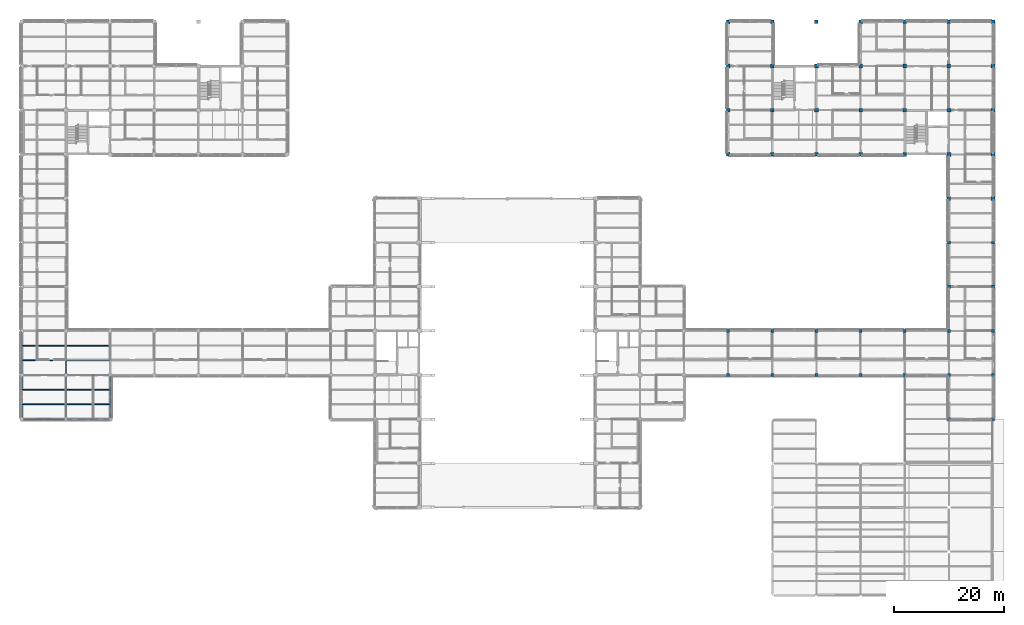
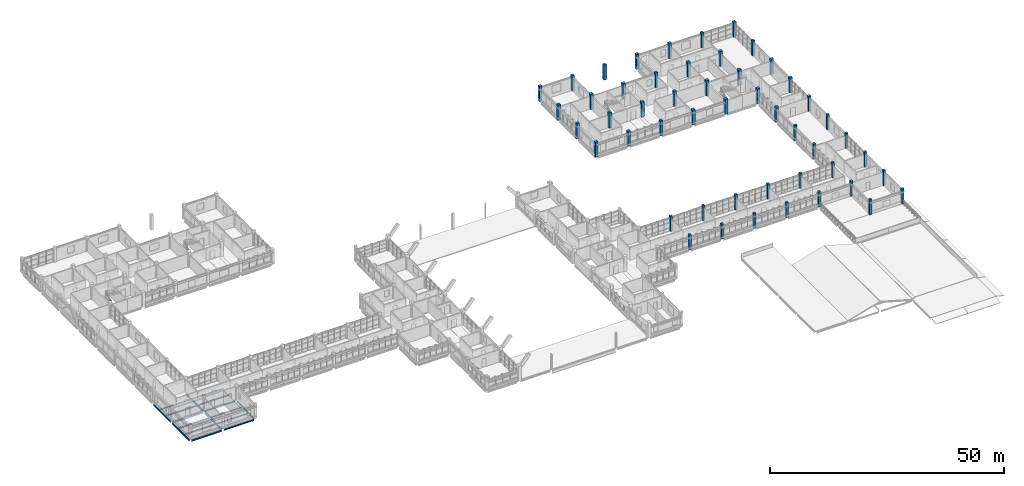
# One storey, part 6 of 92: 50 columns, 17 beams.
"""IFC4 building model written with IfcOpenShell, lengths in metres."""

from ifc_helpers import new_model, si_unit, derived_unit, direction, frame, origin, origin_2d, place, context, subcontext, project, spatial, rectangle, i_section, extrude, material, material_profile, profile_set, type_object, element, save


model = new_model("IFC4")

# Units and contexts
model_context = context("Model", 3, precision=1e-05, world=origin(), true_north=direction((0.0, 1.0)))
body_context = subcontext(model_context, "Body", "Model", "MODEL_VIEW")
ifc_project = project(units=[si_unit("LENGTHUNIT", "METRE"), si_unit("AREAUNIT", "SQUARE_METRE"), si_unit("VOLUMEUNIT", "CUBIC_METRE"), si_unit("PLANEANGLEUNIT", "RADIAN"), si_unit("MASSUNIT", "GRAM", prefix="KILO"), derived_unit("THERMALTRANSMITTANCEUNIT", [(si_unit("MASSUNIT", "GRAM", prefix="KILO"), 1), (si_unit("TIMEUNIT", "SECOND"), -3), (si_unit("THERMODYNAMICTEMPERATUREUNIT", "KELVIN"), -1)])], contexts=[model_context])

# Site, building, storey
site_placement = place(None, origin())
site = spatial("IfcSite", under=ifc_project, at=site_placement, CompositionType="ELEMENT")
building_placement = place(site_placement, origin())
building = spatial("IfcBuilding", under=site, at=building_placement, Name="Veyamyaing Civic Hall", CompositionType="ELEMENT")
storey_placement = place(building_placement, frame((0.0, 0.0, 17.820068359375)))
storey = spatial("IfcBuildingStorey", under=building, at=storey_placement, Name="L04", CompositionType="ELEMENT", Elevation=17.820068359375)

# Columns
ifc_material_1 = material(Name="Concrete C45/55", Category="concrete")
ifc_material_profile_1 = material_profile(ifc_material_1, rectangle(XDim=0.699951171875, YDim=0.699951171875, at=origin_2d()), Name="RC-COL-700X700")
ifc_profile_set_1 = profile_set([ifc_material_profile_1], Name="Concrete C45/55")
column_type_1 = type_object("IfcColumnType", Name="C-04", PredefinedType="COLUMN", material=ifc_profile_set_1)
for number, where, z_axis, x_axis, name in (
    (1, (136.0, 96.0, 0.0), (0.0, 0.0, 1.0), (1.0, 0.0, 0.0), "Column C-04 18-N L04"),
    (2, (136.0, 104.0, 0.0), (0.0, 0.0, 1.0), (1.0, 0.0, 0.0), "Column C-04 18-P L04"),
    (3, (144.0, 96.0, 0.0), (0.0, 0.0, 1.0), (1.0, 0.0, 0.0), "Column C-04 19-N L04"),
    (4, (144.0, 104.0, 0.0), (0.0, 0.0, 1.0), (1.0, 0.0, 0.0), "Column C-04 19-P L04"),
    (5, (160.0, 88.0, 0.0), (0.0, 0.0, 1.0), (1.0, 0.0, 0.0), "Column C-04 21-M L04"),
    (6, (160.0, 96.0, 0.0), (0.0, 0.0, 1.0), (1.0, 0.0, 0.0), "Column C-04 21-N L04"),
    (7, (168.0, 88.0, 0.0), (0.0, 0.0, 1.0), (1.0, 0.0, 0.0), "Column C-04 22-M L04"),
    (8, (168.0, 96.0, 0.0), (0.0, 0.0, 1.0), (1.0, 0.0, 0.0), "Column C-04 22-N L04"),
):
    element("IfcColumn", number, at=place(storey_placement, frame(where, z_axis=z_axis, x_axis=x_axis)), inside=storey, type_object=column_type_1, Name=name, PredefinedType="COLUMN", context=body_context, shape_type="SweptSolid", body=[
        extrude(rectangle(XDim=0.699951171875, YDim=0.699951171875, at=origin_2d()), origin(), (0.0, 0.0, 1.0), 3.9599609375),
    ])
ifc_material_profile_2 = material_profile(ifc_material_1, rectangle(XDim=0.64990234375, YDim=0.64990234375, at=origin_2d()), Name="RC-COL-650X650")
ifc_profile_set_2 = profile_set([ifc_material_profile_2], Name="Concrete C45/55")
column_type_2 = type_object("IfcColumnType", Name="C-05", PredefinedType="COLUMN", material=ifc_profile_set_2)
for number, where, z_axis, x_axis, name in (
    (9, (128.0, 88.0, 0.0), (0.0, 0.0, 1.0), (1.0, 0.0, 0.0), "Column C-05 17-M L04"),
    (10, (128.0, 96.0, 0.0), (0.0, 0.0, 1.0), (1.0, 0.0, 0.0), "Column C-05 17-N L04"),
    (11, (128.0, 104.0, 0.0), (0.0, 0.0, 1.0), (1.0, 0.0, 0.0), "Column C-05 17-P L04"),
    (12, (128.0, 112.0, 0.0), (0.0, 0.0, 1.0), (1.0, 0.0, 0.0), "Column C-05 17-Q L04"),
    (13, (136.0, 88.0, 0.0), (0.0, 0.0, 1.0), (1.0, 0.0, 0.0), "Column C-05 18-M L04"),
    (14, (136.0, 112.0, 0.0), (0.0, 0.0, 1.0), (1.0, 0.0, 0.0), "Column C-05 18-Q L04"),
    (15, (144.0, 88.0, 0.0), (0.0, 0.0, 1.0), (1.0, 0.0, 0.0), "Column C-05 19-M L04"),
    (16, (144.0, 112.0, 0.0), (0.0, 0.0, 1.0), (1.0, 0.0, 0.0), "Column C-05 19-Q L04"),
    (17, (152.0, 88.0, 0.0), (0.0, 0.0, 1.0), (1.0, 0.0, 0.0), "Column C-05 20-M L04"),
    (18, (152.0, 96.0, 0.0), (0.0, 0.0, 1.0), (1.0, 0.0, 0.0), "Column C-05 20-N L04"),
    (19, (152.0, 104.0, 0.0), (0.0, 0.0, 1.0), (1.0, 0.0, 0.0), "Column C-05 20-P L04"),
    (20, (152.0, 112.0, 0.0), (0.0, 0.0, 1.0), (1.0, 0.0, 0.0), "Column C-05 20-Q L04"),
    (21, (160.0, 104.0, 0.0), (0.0, 0.0, 1.0), (1.0, 0.0, 0.0), "Column C-05 21-P L04"),
    (22, (160.0, 112.0, 0.0), (0.0, 0.0, 1.0), (1.0, 0.0, 0.0), "Column C-05 21-Q L04"),
    (23, (168.0, 80.0, 0.0), (0.0, 0.0, 1.0), (1.0, 0.0, 0.0), "Column C-05 22-L L04"),
    (24, (168.0, 104.0, 0.0), (0.0, 0.0, 1.0), (1.0, 0.0, 0.0), "Column C-05 22-P L04"),
    (25, (168.0, 112.0, 0.0), (0.0, 0.0, 1.0), (1.0, 0.0, 0.0), "Column C-05 22-Q L04"),
    (26, (176.0, 80.0, 0.0), (0.0, 0.0, 1.0), (1.0, 0.0, 0.0), "Column C-05 23-L L04"),
    (27, (176.0, 88.0, 0.0), (0.0, 0.0, 1.0), (1.0, 0.0, 0.0), "Column C-05 23-M L04"),
    (28, (176.0, 96.0, 0.0), (0.0, 0.0, 1.0), (1.0, 0.0, 0.0), "Column C-05 23-N L04"),
    (29, (176.0, 104.0, 0.0), (0.0, 0.0, 1.0), (1.0, 0.0, 0.0), "Column C-05 23-P L04"),
    (30, (176.0, 112.0, 0.0), (0.0, 0.0, 1.0), (1.0, 0.0, 0.0), "Column C-05 23-Q L04"),
):
    element("IfcColumn", number, at=place(storey_placement, frame(where, z_axis=z_axis, x_axis=x_axis)), inside=storey, type_object=column_type_2, Name=name, PredefinedType="COLUMN", context=body_context, shape_type="SweptSolid", body=[
        extrude(rectangle(XDim=0.64990234375, YDim=0.64990234375, at=origin_2d()), origin(), (0.0, 0.0, 1.0), 3.9599609375),
    ])
ifc_material_profile_3 = material_profile(ifc_material_1, rectangle(XDim=0.550048828125, YDim=0.550048828125, at=origin_2d()), Name="RC-COL-550X550")
ifc_profile_set_3 = profile_set([ifc_material_profile_3], Name="Concrete C45/55")
column_type_3 = type_object("IfcColumnType", Name="C-07", PredefinedType="COLUMN", material=ifc_profile_set_3)
for number, where, z_axis, x_axis, name in (
    (31, (128.0, 48.0, 0.0), (0.0, 0.0, 1.0), (1.0, 0.0, 0.0), "Column C-07 17-G L04"),
    (32, (128.0, 56.0, 0.0), (0.0, 0.0, 1.0), (1.0, 0.0, 0.0), "Column C-07 17-H L04"),
    (33, (136.0, 48.0, 0.0), (0.0, 0.0, 1.0), (1.0, 0.0, 0.0), "Column C-07 18-G L04"),
    (34, (136.0, 56.0, 0.0), (0.0, 0.0, 1.0), (1.0, 0.0, 0.0), "Column C-07 18-H L04"),
    (35, (144.0, 48.0, 0.0), (0.0, 0.0, 1.0), (1.0, 0.0, 0.0), "Column C-07 19-G L04"),
    (36, (144.0, 56.0, 0.0), (0.0, 0.0, 1.0), (1.0, 0.0, 0.0), "Column C-07 19-H L04"),
    (37, (152.0, 48.0, 0.0), (0.0, 0.0, 1.0), (1.0, 0.0, 0.0), "Column C-07 20-G L04"),
    (38, (152.0, 56.0, 0.0), (0.0, 0.0, 1.0), (1.0, 0.0, 0.0), "Column C-07 20-H L04"),
    (39, (160.0, 48.0, 0.0), (0.0, 0.0, 1.0), (1.0, 0.0, 0.0), "Column C-07 21-G L04"),
    (40, (160.0, 56.0, 0.0), (0.0, 0.0, 1.0), (1.0, 0.0, 0.0), "Column C-07 21-H L04"),
    (41, (168.0, 40.0, 0.0), (0.0, 0.0, 1.0), (1.0, 0.0, 0.0), "Column C-07 22-F L04"),
    (42, (168.0, 48.0, 0.0), (0.0, 0.0, 1.0), (1.0, 0.0, 0.0), "Column C-07 22-G L04"),
    (43, (168.0, 56.0, 0.0), (0.0, 0.0, 1.0), (1.0, 0.0, 0.0), "Column C-07 22-H L04"),
    (44, (168.0, 64.0, 0.0), (0.0, 0.0, 1.0), (1.0, 0.0, 0.0), "Column C-07 22-J L04"),
    (45, (168.0, 72.0, 0.0), (0.0, 0.0, 1.0), (1.0, 0.0, 0.0), "Column C-07 22-K L04"),
    (46, (176.0, 40.0, 0.0), (0.0, 0.0, 1.0), (1.0, 0.0, 0.0), "Column C-07 23-F L04"),
    (47, (176.0, 48.0, 0.0), (0.0, 0.0, 1.0), (1.0, 0.0, 0.0), "Column C-07 23-G L04"),
    (48, (176.0, 56.0, 0.0), (0.0, 0.0, 1.0), (1.0, 0.0, 0.0), "Column C-07 23-H L04"),
    (49, (176.0, 64.0, 0.0), (0.0, 0.0, 1.0), (1.0, 0.0, 0.0), "Column C-07 23-J L04"),
    (50, (176.0, 72.0, 0.0), (0.0, 0.0, 1.0), (1.0, 0.0, 0.0), "Column C-07 23-K L04"),
):
    element("IfcColumn", number, at=place(storey_placement, frame(where, z_axis=z_axis, x_axis=x_axis)), inside=storey, type_object=column_type_3, Name=name, PredefinedType="COLUMN", context=body_context, shape_type="SweptSolid", body=[
        extrude(rectangle(XDim=0.550048828125, YDim=0.550048828125, at=origin_2d()), origin(), (0.0, 0.0, 1.0), 3.9599609375),
    ])

# Beams
ifc_material_2 = material(Name="Steel ASTM A992", Category="steel")
ifc_material_profile_4 = material_profile(ifc_material_2, i_section(OverallWidth=0.19189453125, OverallDepth=0.462890625, WebThickness=0.010498046875, FlangeThickness=0.017578125, FilletRadius=0.010009765625, at=origin_2d()), Name="W460X89")
ifc_profile_set_4 = profile_set([ifc_material_profile_4], Name="Steel ASTM A992")
beam_type_1 = type_object("IfcBeamType", Name="B-08", PredefinedType="BEAM", material=ifc_profile_set_4)
beam_1_placement = place(storey_placement, frame((8.0, 40.27490234375, -0.466552734375), z_axis=(0.0, 1.0, 0.0), x_axis=(-1.0, 0.0, 0.0)))
element("IfcBeam", 51, at=beam_1_placement, inside=storey, type_object=beam_type_1, Name="Girder B-08 L04 Grid 2 F-G", PredefinedType="BEAM", context=body_context, shape_type="SweptSolid", body=[
    extrude(i_section(OverallWidth=0.19189453125, OverallDepth=0.462890625, WebThickness=0.010498046875, FlangeThickness=0.017578125, FilletRadius=0.010009765625, at=origin_2d()), origin(), (0.0, 0.0, 1.0), 7.4501953125),
])
ifc_material_profile_5 = material_profile(ifc_material_2, i_section(OverallWidth=0.18994140625, OverallDepth=0.45703125, WebThickness=0.009033203125, FlangeThickness=0.014404296875, FilletRadius=0.010009765625, at=origin_2d()), Name="W460X74")
ifc_profile_set_5 = profile_set([ifc_material_profile_5], Name="Steel ASTM A992")
beam_type_2 = type_object("IfcBeamType", Name="B-09", PredefinedType="BEAM", material=ifc_profile_set_5)
beam_2_placement = place(storey_placement, frame((8.0, 48.27490234375, -0.463623046875), z_axis=(0.0, 1.0, 0.0), x_axis=(-1.0, 0.0, 0.0)))
element("IfcBeam", 52, at=beam_2_placement, inside=storey, type_object=beam_type_2, Name="Girder B-09 L04 Grid 2 G-H", PredefinedType="BEAM", context=body_context, shape_type="SweptSolid", body=[
    extrude(i_section(OverallWidth=0.18994140625, OverallDepth=0.45703125, WebThickness=0.009033203125, FlangeThickness=0.014404296875, FilletRadius=0.010009765625, at=origin_2d()), origin(), (0.0, 0.0, 1.0), 7.4501953125),
])
ifc_material_profile_6 = material_profile(ifc_material_2, i_section(OverallWidth=0.179931640625, OverallDepth=0.4130859375, WebThickness=0.009765625, FlangeThickness=0.01611328125, FilletRadius=0.010009765625, at=origin_2d()), Name="W410X74")
ifc_profile_set_6 = profile_set([ifc_material_profile_6], Name="Steel ASTM A992")
beam_type_3 = type_object("IfcBeamType", Name="B-10", PredefinedType="SPANDREL", material=ifc_profile_set_6)
beam_3_placement = place(storey_placement, frame((16.0, 40.27490234375, -0.441650390625), z_axis=(0.0, 1.0, 0.0), x_axis=(-1.0, 0.0, 0.0)))
element("IfcBeam", 53, at=beam_3_placement, inside=storey, type_object=beam_type_3, Name="Girder B-10 L04 Grid 3 F-G", PredefinedType="SPANDREL", context=body_context, shape_type="SweptSolid", body=[
    extrude(i_section(OverallWidth=0.179931640625, OverallDepth=0.4130859375, WebThickness=0.009765625, FlangeThickness=0.01611328125, FilletRadius=0.010009765625, at=origin_2d()), origin(), (0.0, 0.0, 1.0), 7.4501953125),
])
ifc_material_profile_7 = material_profile(ifc_material_2, i_section(OverallWidth=0.14599609375, OverallDepth=0.258056640625, WebThickness=0.006103515625, FlangeThickness=0.009033203125, FilletRadius=0.010009765625, at=origin_2d()), Name="W250X33")
ifc_profile_set_7 = profile_set([ifc_material_profile_7], Name="Steel ASTM A992")
beam_type_4 = type_object("IfcBeamType", Name="B-12", PredefinedType="BEAM", material=ifc_profile_set_7)
beam_4_placement = place(storey_placement, frame((8.27490234375, 48.0, -0.364013671875), z_axis=(1.0, 0.0, 0.0), x_axis=(0.0, 1.0, 0.0)))
element("IfcBeam", 54, at=beam_4_placement, inside=storey, type_object=beam_type_4, Name="Girder B-12 L04 Grid G 2-3", PredefinedType="BEAM", context=body_context, shape_type="SweptSolid", body=[
    extrude(i_section(OverallWidth=0.14599609375, OverallDepth=0.258056640625, WebThickness=0.006103515625, FlangeThickness=0.009033203125, FilletRadius=0.010009765625, at=origin_2d()), origin(), (0.0, 0.0, 1.0), 7.4501953125),
])
ifc_material_profile_8 = material_profile(ifc_material_2, i_section(OverallWidth=0.194091796875, OverallDepth=0.468994140625, WebThickness=0.0126953125, FlangeThickness=0.0205078125, FilletRadius=0.010009765625, at=origin_2d()), Name="W460X106")
ifc_profile_set_8 = profile_set([ifc_material_profile_8], Name="Steel ASTM A992")
beam_type_5 = type_object("IfcBeamType", Name="B-18", PredefinedType="BEAM", material=ifc_profile_set_8)
beam_5_placement = place(storey_placement, frame((0.27490234375, 48.0, -0.469482421875), z_axis=(1.0, 0.0, 0.0), x_axis=(0.0, 1.0, 0.0)))
element("IfcBeam", 55, at=beam_5_placement, inside=storey, type_object=beam_type_5, Name="Girder B-18 L04 Grid G 1-2", PredefinedType="BEAM", context=body_context, shape_type="SweptSolid", body=[
    extrude(i_section(OverallWidth=0.194091796875, OverallDepth=0.468994140625, WebThickness=0.0126953125, FlangeThickness=0.0205078125, FilletRadius=0.010009765625, at=origin_2d()), origin(), (0.0, 0.0, 1.0), 7.4501953125),
])
ifc_material_profile_9 = material_profile(ifc_material_2, i_section(OverallWidth=0.180908203125, OverallDepth=0.4169921875, WebThickness=0.010986328125, FlangeThickness=0.018310546875, FilletRadius=0.010009765625, at=origin_2d()), Name="W410X85")
ifc_profile_set_9 = profile_set([ifc_material_profile_9], Name="Steel ASTM A992")
beam_type_6 = type_object("IfcBeamType", Name="B-19", PredefinedType="SPANDREL", material=ifc_profile_set_9)
for number, where, z_axis, x_axis, name in (
    (56, (0.27490234375, 40.0, -0.443603515625), (1.0, 0.0, 0.0), (0.0, 1.0, 0.0), "Girder B-19 L04 Grid F 1-2"),
    (57, (0.0, 40.27490234375, -0.443603515625), (0.0, 1.0, 0.0), (-1.0, 0.0, 0.0), "Girder B-19 L04 Grid 1 F-G"),
):
    element("IfcBeam", number, at=place(storey_placement, frame(where, z_axis=z_axis, x_axis=x_axis)), inside=storey, type_object=beam_type_6, Name=name, PredefinedType="SPANDREL", context=body_context, shape_type="SweptSolid", body=[
        extrude(i_section(OverallWidth=0.180908203125, OverallDepth=0.4169921875, WebThickness=0.010986328125, FlangeThickness=0.018310546875, FilletRadius=0.010009765625, at=origin_2d()), origin(), (0.0, 0.0, 1.0), 7.4501953125),
    ])
ifc_material_profile_10 = material_profile(ifc_material_2, i_section(OverallWidth=0.25390625, OverallDepth=0.35302734375, WebThickness=0.009521484375, FlangeThickness=0.016357421875, FilletRadius=0.011962890625, at=origin_2d()), Name="W360X91")
ifc_profile_set_10 = profile_set([ifc_material_profile_10], Name="Steel ASTM A992")
beam_type_7 = type_object("IfcBeamType", Name="B-20", PredefinedType="SPANDREL", material=ifc_profile_set_10)
for number, where, z_axis, x_axis, name in (
    (58, (8.27490234375, 40.0, -0.41162109375), (1.0, 0.0, 0.0), (0.0, 1.0, 0.0), "Girder B-20 L04 Grid F 2-3"),
    (59, (0.0, 48.27490234375, -0.41162109375), (0.0, 1.0, 0.0), (-1.0, 0.0, 0.0), "Girder B-20 L04 Grid 1 G-H"),
):
    element("IfcBeam", number, at=place(storey_placement, frame(where, z_axis=z_axis, x_axis=x_axis)), inside=storey, type_object=beam_type_7, Name=name, PredefinedType="SPANDREL", context=body_context, shape_type="SweptSolid", body=[
        extrude(i_section(OverallWidth=0.25390625, OverallDepth=0.35302734375, WebThickness=0.009521484375, FlangeThickness=0.016357421875, FilletRadius=0.011962890625, at=origin_2d()), origin(), (0.0, 0.0, 1.0), 7.4501953125),
    ])
ifc_material_profile_11 = material_profile(ifc_material_2, i_section(OverallWidth=0.1708984375, OverallDepth=0.35205078125, WebThickness=0.0068359375, FlangeThickness=0.009765625, FilletRadius=0.010009765625, at=origin_2d()), Name="W360X44")
ifc_profile_set_11 = profile_set([ifc_material_profile_11], Name="Steel ASTM A992")
beam_type_8 = type_object("IfcBeamType", Name="J-03", PredefinedType="JOIST", material=ifc_profile_set_11)
for number, where, z_axis, x_axis, name in (
    (60, (0.08837890625, 42.666748046875, -0.4111328125), (1.0, 0.0, 0.0), (0.0, 1.0, 0.0), "Composite floor joist J-03 L04 1.6.1"),
    (61, (0.08837890625, 45.333251953125, -0.4111328125), (1.0, 0.0, 0.0), (0.0, 1.0, 0.0), "Composite floor joist J-03 L04 1.6.2"),
):
    element("IfcBeam", number, at=place(storey_placement, frame(where, z_axis=z_axis, x_axis=x_axis)), inside=storey, type_object=beam_type_8, Name=name, PredefinedType="JOIST", context=body_context, shape_type="SweptSolid", body=[
        extrude(i_section(OverallWidth=0.1708984375, OverallDepth=0.35205078125, WebThickness=0.0068359375, FlangeThickness=0.009765625, FilletRadius=0.010009765625, at=origin_2d()), origin(), (0.0, 0.0, 1.0), 7.817626953125),
    ])
ifc_material_profile_12 = material_profile(ifc_material_2, i_section(OverallWidth=0.1669921875, OverallDepth=0.318115234375, WebThickness=0.007568359375, FlangeThickness=0.01318359375, FilletRadius=0.010009765625, at=origin_2d()), Name="W310X52")
ifc_profile_set_12 = profile_set([ifc_material_profile_12], Name="Steel ASTM A992")
beam_type_9 = type_object("IfcBeamType", Name="J-04", PredefinedType="JOIST", material=ifc_profile_set_12)
for number, where, z_axis, x_axis, name in (
    (62, (0.125, 50.666748046875, -0.39404296875), (1.0, 0.0, 0.0), (0.0, 1.0, 0.0), "Composite floor joist J-04 L04 1.7.1"),
    (63, (0.125, 53.333251953125, -0.39404296875), (1.0, 0.0, 0.0), (0.0, 1.0, 0.0), "Composite floor joist J-04 L04 1.7.2"),
):
    element("IfcBeam", number, at=place(storey_placement, frame(where, z_axis=z_axis, x_axis=x_axis)), inside=storey, type_object=beam_type_9, Name=name, PredefinedType="JOIST", context=body_context, shape_type="SweptSolid", body=[
        extrude(i_section(OverallWidth=0.1669921875, OverallDepth=0.318115234375, WebThickness=0.007568359375, FlangeThickness=0.01318359375, FilletRadius=0.010009765625, at=origin_2d()), origin(), (0.0, 0.0, 1.0), 7.781982421875),
    ])
for number, where, z_axis, x_axis, name in (
    (64, (8.093994140625, 42.666748046875, -0.39404296875), (1.0, 0.0, 0.0), (0.0, 1.0, 0.0), "Composite floor joist J-04 L04 2.6.1"),
    (65, (8.093994140625, 45.333251953125, -0.39404296875), (1.0, 0.0, 0.0), (0.0, 1.0, 0.0), "Composite floor joist J-04 L04 2.6.2"),
):
    element("IfcBeam", number, at=place(storey_placement, frame(where, z_axis=z_axis, x_axis=x_axis)), inside=storey, type_object=beam_type_9, Name=name, PredefinedType="JOIST", context=body_context, shape_type="SweptSolid", body=[
        extrude(i_section(OverallWidth=0.1669921875, OverallDepth=0.318115234375, WebThickness=0.007568359375, FlangeThickness=0.01318359375, FilletRadius=0.010009765625, at=origin_2d()), origin(), (0.0, 0.0, 1.0), 7.818115234375),
    ])
ifc_material_profile_13 = material_profile(ifc_material_2, i_section(OverallWidth=0.1650390625, OverallDepth=0.31005859375, WebThickness=0.005859375, FlangeThickness=0.009765625, FilletRadius=0.010009765625, at=origin_2d()), Name="W310X39")
ifc_profile_set_13 = profile_set([ifc_material_profile_13], Name="Steel ASTM A992")
beam_type_10 = type_object("IfcBeamType", Name="J-05", PredefinedType="JOIST", material=ifc_profile_set_13)
for number, where, z_axis, x_axis, name in (
    (66, (8.093017578125, 50.666748046875, -0.39013671875), (1.0, 0.0, 0.0), (0.0, 1.0, 0.0), "Composite floor joist J-05 L04 2.7.1"),
    (67, (8.093017578125, 53.333251953125, -0.39013671875), (1.0, 0.0, 0.0), (0.0, 1.0, 0.0), "Composite floor joist J-05 L04 2.7.2"),
):
    element("IfcBeam", number, at=place(storey_placement, frame(where, z_axis=z_axis, x_axis=x_axis)), inside=storey, type_object=beam_type_10, Name=name, PredefinedType="JOIST", context=body_context, shape_type="SweptSolid", body=[
        extrude(i_section(OverallWidth=0.1650390625, OverallDepth=0.31005859375, WebThickness=0.005859375, FlangeThickness=0.009765625, FilletRadius=0.010009765625, at=origin_2d()), origin(), (0.0, 0.0, 1.0), 7.8359375),
    ])

save(model, "model.ifc")
